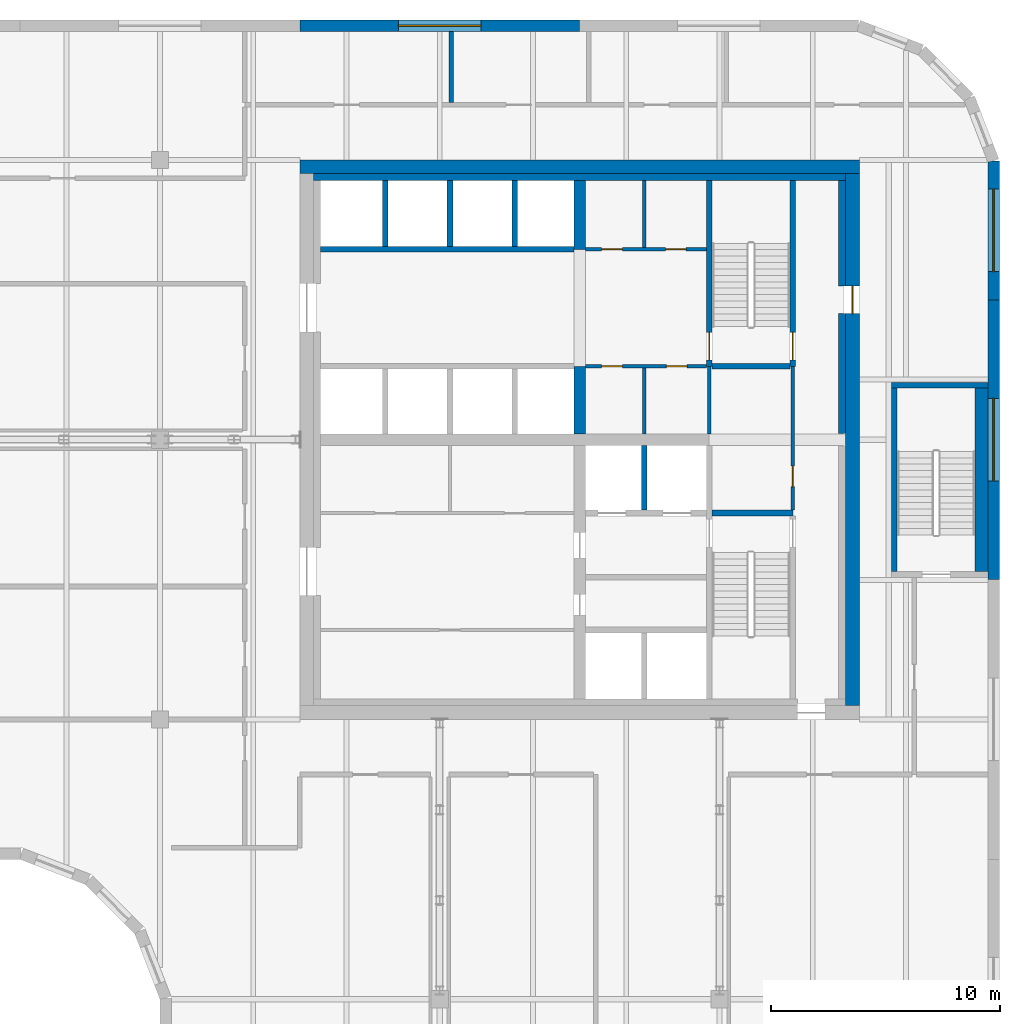
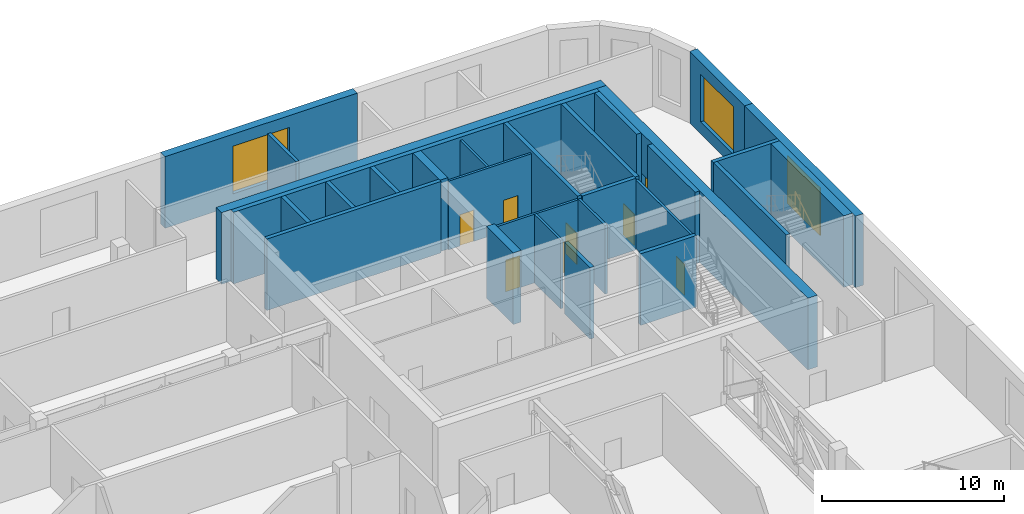
# One storey, part 9 of 12: 29 walls, 8 doors, 3 windows, 11 openings.
"""IFC4 building model written with IfcOpenShell, lengths in metres."""

from ifc_helpers import new_model, si_unit, direction, frame, frame_2d, origin, place, context, subcontext, project, spatial, polyline, rectangle, outline, extrude, faceted_brep, source, transform, mapped, material, layer, layer_set, type_object, element, fill, save


model = new_model("IFC4")

# Units and contexts
model_context = context("Model", 3, precision=1e-05, world=origin(), true_north=direction((0.0, 1.0)))
body_context = subcontext(model_context, "Body", "Model", "MODEL_VIEW")
ifc_project = project(units=[si_unit("LENGTHUNIT", "METRE"), si_unit("AREAUNIT", "SQUARE_METRE"), si_unit("VOLUMEUNIT", "CUBIC_METRE"), si_unit("PLANEANGLEUNIT", "RADIAN"), si_unit("MASSUNIT", "GRAM", prefix="KILO")], contexts=[model_context])

# Site, building, storey
site_placement = place(None, origin())
site = spatial("IfcSite", under=ifc_project, at=site_placement, CompositionType="ELEMENT")
building_placement = place(site_placement, origin())
building = spatial("IfcBuilding", under=site, at=building_placement, Name="Tessera Gate Towers", CompositionType="ELEMENT")
storey_placement = place(building_placement, frame((0.0, 0.0, 150.60009765625)))
storey = spatial("IfcBuildingStorey", under=building, at=storey_placement, Name="L37", CompositionType="ELEMENT", Elevation=150.60009765625)

# Walls
ifc_material_1 = material(Name="Concrete C40/50", Category="concrete")
ifc_layer_1 = layer(ifc_material_1, 0.25)
ifc_layer_set_1 = layer_set([ifc_layer_1], Name="CORE ENCLOSURE WALL 250")
wall_type_1 = type_object("IfcWallType", Name="CORE ENCLOSURE WALL 250", PredefinedType="SOLIDWALL", material=ifc_layer_set_1)
wall_1_placement = place(storey_placement, frame((31.39990234375, 44.89990234375, 0.0), z_axis=(0.0, 0.0, 1.0), x_axis=(1.0, 0.0, 0.0)))
element("IfcWall", 1, at=wall_1_placement, inside=storey, type_object=wall_type_1, Name="L37 shaft and stair enclosure wall", PredefinedType="SOLIDWALL", context=body_context, shape_type="SweptSolid", body=[
    extrude(rectangle(XDim=11.050048828125, YDim=0.25, at=frame_2d((5.52490234375, 0.0))), origin(), (0.0, 0.0, 1.0), 4.7998046875),
])
wall_2_placement = place(storey_placement, frame((48.47509765625, 33.39990234375, 0.0), z_axis=(0.0, 0.0, 1.0), x_axis=(1.0, 0.0, 0.0)))
element("IfcWall", 2, at=wall_2_placement, inside=storey, type_object=wall_type_1, Name="L37 shaft and stair enclosure wall", PredefinedType="SOLIDWALL", context=body_context, shape_type="SweptSolid", body=[
    extrude(rectangle(XDim=3.52490234375, YDim=0.25, at=frame_2d((1.762451171875, 0.0))), origin(), (0.0, 0.0, 1.0), 4.7998046875),
])

# Wall, opening, door
wall_3_placement = place(storey_placement, frame((48.35009765625, 47.89990234375, 0.0), z_axis=(0.0, 0.0, 1.0), x_axis=(0.0, -1.0, 0.0)))
wall_3 = element("IfcWall", 3, at=wall_3_placement, inside=storey, type_object=wall_type_1, Name="L37 shaft and stair enclosure wall", PredefinedType="SOLIDWALL", context=body_context, shape_type="SweptSolid", body=[
    extrude(rectangle(XDim=8.099853515625, YDim=0.25, at=frame_2d((4.0498046875, 0.0))), origin(), (0.0, 0.0, 1.0), 4.7998046875),
])
shared_shape_1 = source(origin(), body_context, "Body", "SweptSolid", [
    extrude(rectangle(XDim=1.199951171875, YDim=2.10009765625, at=frame_2d((0.60009765625, 1.050048828125))), frame((0.0, 0.135009765625, 0.0), z_axis=(0.0, -1.0, 0.0), x_axis=(1.0, 0.0, 0.0)), (0.0, 0.0, 1.0), 0.27001953125),
])
opening_1_placement = place(wall_3_placement, frame((6.625, 0.0, 0.0)))
opening_1 = element("IfcOpeningElement", 4, at=opening_1_placement, cuts=wall_3, Name="Opening SD-ST2-1", PredefinedType="OPENING", context=body_context, shape_type="MappedRepresentation", body=[
    mapped(shared_shape_1, transform((0.0, 0.0, 0.0), scale=1.0)),
])
ifc_material_2 = material(Name="Hollow steel fire door", Category="steel")
door_type_1 = type_object("IfcDoorType", Name="CORE DOOR SD 1200x2100", OperationType="NOTDEFINED", PredefinedType="DOOR", material=ifc_material_2)
shared_shape_2 = source(origin(), body_context, "Body", "SweptSolid", [
    extrude(rectangle(XDim=1.199951171875, YDim=2.10009765625, at=frame_2d((0.60009765625, 1.050048828125))), frame((0.0, 0.02490234375, 0.0), z_axis=(0.0, -1.0, 0.0), x_axis=(1.0, 0.0, 0.0)), (0.0, 0.0, 1.0), 0.050048828125),
])
door_1_placement = place(opening_1_placement, origin())
door_1 = element("IfcDoor", 5, at=door_1_placement, inside=storey, type_object=door_type_1, Name="Stair door", OperationType="SINGLE_SWING_RIGHT", OverallHeight=2.10009765625, OverallWidth=1.199951171875, PredefinedType="DOOR", context=body_context, shape_type="MappedRepresentation", body=[
    mapped(shared_shape_2, transform((0.0, 0.0, 0.0), scale=1.0)),
])
fill(opening_1, door_1)

wall_4_placement = place(storey_placement, frame((52.0, 39.800048828125, 0.0), z_axis=(0.0, 0.0, 1.0), x_axis=(0.0, 1.0, 0.0)))
wall_4 = element("IfcWall", 6, at=wall_4_placement, inside=storey, type_object=wall_type_1, Name="L37 shaft and stair enclosure wall", PredefinedType="SOLIDWALL", context=body_context, shape_type="SweptSolid", body=[
    extrude(rectangle(XDim=8.099853515625, YDim=0.25, at=frame_2d((4.0498046875, 0.0))), origin(), (0.0, 0.0, 1.0), 4.7998046875),
])
opening_2_placement = place(wall_4_placement, frame((0.27490234375, 0.0, 0.0)))
opening_2 = element("IfcOpeningElement", 7, at=opening_2_placement, cuts=wall_4, Name="Opening SD-ST2-2", PredefinedType="OPENING", context=body_context, shape_type="MappedRepresentation", body=[
    mapped(shared_shape_1, transform((0.0, 0.0, 0.0), scale=1.0)),
])
door_2_placement = place(opening_2_placement, origin())
door_2 = element("IfcDoor", 8, at=door_2_placement, inside=storey, type_object=door_type_1, Name="Stair door", OperationType="SINGLE_SWING_LEFT", OverallHeight=2.10009765625, OverallWidth=1.199951171875, PredefinedType="DOOR", context=body_context, shape_type="MappedRepresentation", body=[
    mapped(shared_shape_2, transform((0.0, 0.0, 0.0), scale=1.0)),
])
fill(opening_2, door_2)

# Walls
wall_5_placement = place(storey_placement, frame((48.47509765625, 39.800048828125, 0.0), z_axis=(0.0, 0.0, 1.0), x_axis=(1.0, 0.0, 0.0)))
element("IfcWall", 9, at=wall_5_placement, inside=storey, type_object=wall_type_1, Name="L37 shaft and stair enclosure wall", PredefinedType="SOLIDWALL", context=body_context, shape_type="SweptSolid", body=[
    extrude(rectangle(XDim=3.39990234375, YDim=0.25, at=frame_2d((1.699951171875, 0.0))), origin(), (0.0, 0.0, 1.0), 4.7998046875),
])
wall_6_placement = place(storey_placement, frame((45.52490234375, 33.52490234375, 0.0), z_axis=(0.0, 0.0, 1.0), x_axis=(0.0, 1.0, 0.0)))
element("IfcWall", 10, at=wall_6_placement, inside=storey, type_object=wall_type_1, Name="L37 shaft and stair enclosure wall", PredefinedType="SOLIDWALL", context=body_context, shape_type="SweptSolid", body=[
    extrude(rectangle(XDim=2.8251953125, YDim=0.25, at=frame_2d((1.41259765625, 0.0))), origin(), (0.0, 0.0, 1.0), 4.7998046875),
])
for number, where, z_axis, x_axis, name in (
    (11, (34.22509765625, 45.02490234375, 0.0), (0.0, 0.0, 1.0), (0.0, 1.0, 0.0), "L37 shaft and stair enclosure wall"),
    (12, (37.050048828125, 45.02490234375, 0.0), (0.0, 0.0, 1.0), (0.0, 1.0, 0.0), "L37 shaft and stair enclosure wall"),
    (13, (39.875, 45.02490234375, 0.0), (0.0, 0.0, 1.0), (0.0, 1.0, 0.0), "L37 shaft and stair enclosure wall"),
):
    element("IfcWall", number, at=place(storey_placement, frame(where, z_axis=z_axis, x_axis=x_axis)), inside=storey, type_object=wall_type_1, Name=name, PredefinedType="SOLIDWALL", context=body_context, shape_type="SweptSolid", body=[
        extrude(rectangle(XDim=2.875, YDim=0.25, at=frame_2d((1.4375, 0.0))), origin(), (0.0, 0.0, 1.0), 4.7998046875),
    ])
wall_7_placement = place(storey_placement, frame((56.425048828125, 30.85009765625, 0.0), z_axis=(0.0, 0.0, 1.0), x_axis=(0.0, 1.0, 0.0)))
element("IfcWall", 14, at=wall_7_placement, inside=storey, type_object=wall_type_1, Name="L37 ST5 enclosure wall", PredefinedType="SOLIDWALL", context=body_context, shape_type="SweptSolid", body=[
    extrude(rectangle(XDim=8.0, YDim=0.25, at=frame_2d((4.0, 0.0))), origin(), (0.0, 0.0, 1.0), 4.7998046875),
])
wall_8_placement = place(storey_placement, frame((56.300048828125, 38.97509765625, 0.0), z_axis=(0.0, 0.0, 1.0), x_axis=(1.0, 0.0, 0.0)))
element("IfcWall", 15, at=wall_8_placement, inside=storey, type_object=wall_type_1, Name="L37 ST5 enclosure wall", PredefinedType="SOLIDWALL", context=body_context, shape_type="SweptSolid", body=[
    extrude(rectangle(XDim=4.199951171875, YDim=0.25, at=frame_2d((2.10009765625, 0.0))), origin(), (0.0, 0.0, 1.0), 4.7998046875),
])
ifc_material_3 = material(Name="Concrete C40/50", Category="concrete")
ifc_layer_2 = layer(ifc_material_3, 0.550048828125)
ifc_layer_set_2 = layer_set([ifc_layer_2], Name="CORE ENCLOSURE WALL 550")
wall_type_2 = type_object("IfcWallType", Name="CORE ENCLOSURE WALL 550", PredefinedType="SOLIDWALL", material=ifc_layer_set_2)
wall_9_placement = place(storey_placement, frame((60.22509765625, 38.85009765625, 0.0), z_axis=(0.0, 0.0, 1.0), x_axis=(0.0, -1.0, 0.0)))
element("IfcWall", 16, at=wall_9_placement, inside=storey, type_object=wall_type_2, Name="L37 ST5 enclosure wall", PredefinedType="SOLIDWALL", context=body_context, shape_type="SweptSolid", body=[
    extrude(rectangle(XDim=8.0, YDim=0.550048828125, at=frame_2d((4.0, 0.0))), origin(), (0.0, 0.0, 1.0), 4.7998046875),
])
ifc_material_4 = material(Name="Concrete C50/60", Category="concrete")
ifc_layer_3 = layer(ifc_material_4, 0.60009765625)
ifc_layer_set_3 = layer_set([ifc_layer_3], Name="CORE SHEAR WALL 600 C50/60")
wall_type_3 = type_object("IfcWallType", Name="CORE SHEAR WALL 600 C50/60", PredefinedType="SHEAR", material=ifc_layer_set_3)
wall_10_placement = place(storey_placement, frame((30.5, 48.5, 0.0), z_axis=(0.0, 0.0, 1.0), x_axis=(1.0, 0.0, 0.0)))
element("IfcWall", 17, at=wall_10_placement, inside=storey, type_object=wall_type_3, Name="Core wall N L37", PredefinedType="SHEAR", context=body_context, shape_type="SweptSolid", body=[
    extrude(rectangle(XDim=24.39990234375, YDim=0.60009765625, at=frame_2d((12.199951171875, 0.0))), origin(), (0.0, 0.0, 1.0), 4.7998046875),
])

# Wall, opening, door
wall_11_placement = place(storey_placement, frame((54.60009765625, 48.199951171875, 0.0), z_axis=(0.0, 0.0, 1.0), x_axis=(0.0, -1.0, 0.0)))
wall_11 = element("IfcWall", 18, at=wall_11_placement, inside=storey, type_object=wall_type_3, Name="Core wall E L37", PredefinedType="SHEAR", context=body_context, shape_type="SweptSolid", body=[
    extrude(rectangle(XDim=23.199951171875, YDim=0.60009765625, at=frame_2d((11.60009765625, 0.0))), origin(), (0.0, 0.0, 1.0), 4.7998046875),
])
shared_shape_3 = source(origin(), body_context, "Body", "SweptSolid", [
    extrude(rectangle(XDim=1.199951171875, YDim=2.10009765625, at=frame_2d((0.60009765625, 1.050048828125))), frame((0.0, 0.31005859375, 0.0), z_axis=(0.0, -1.0, 0.0), x_axis=(1.0, 0.0, 0.0)), (0.0, 0.0, 1.0), 0.6201171875),
])
opening_3_placement = place(wall_11_placement, frame((4.89990234375, 0.0, 0.0)))
opening_3 = element("IfcOpeningElement", 19, at=opening_3_placement, cuts=wall_11, Name="Opening ED-T1-24-04", PredefinedType="OPENING", context=body_context, shape_type="MappedRepresentation", body=[
    mapped(shared_shape_3, transform((0.0, 0.0, 0.0), scale=1.0)),
])
ifc_material_5 = material(Name="Hollow steel fire door", Category="steel")
door_type_2 = type_object("IfcDoorType", Name="CORE DOOR ED 1200x2100", OperationType="NOTDEFINED", PredefinedType="DOOR", material=ifc_material_5)
door_3_placement = place(opening_3_placement, origin())
door_3 = element("IfcDoor", 20, at=door_3_placement, inside=storey, type_object=door_type_2, Name="Core exit door", OperationType="SINGLE_SWING_LEFT", OverallHeight=2.10009765625, OverallWidth=1.199951171875, PredefinedType="DOOR", context=body_context, shape_type="MappedRepresentation", body=[
    mapped(shared_shape_2, transform((0.0, 0.0, 0.0), scale=1.0)),
])
fill(opening_3, door_3)

# Walls
ifc_material_6 = material(Name="Concrete C50/60", Category="concrete")
ifc_layer_4 = layer(ifc_material_6, 0.5)
ifc_layer_set_4 = layer_set([ifc_layer_4], Name="CORE SPINE WALL 500 C50/60")
wall_type_4 = type_object("IfcWallType", Name="CORE SPINE WALL 500 C50/60", PredefinedType="SHEAR", material=ifc_layer_set_4)
wall_12_placement = place(storey_placement, frame((42.699951171875, 36.85009765625, 0.0), z_axis=(0.0, 0.0, 1.0), x_axis=(0.0, 1.0, 0.0)))
element("IfcWall", 21, at=wall_12_placement, inside=storey, type_object=wall_type_4, Name="Core wall spine L37", PredefinedType="SHEAR", context=body_context, shape_type="SweptSolid", body=[
    extrude(rectangle(XDim=2.949951171875, YDim=0.5, at=frame_2d((1.47509765625, 0.0))), origin(), (0.0, 0.0, 1.0), 4.7998046875),
])
wall_13_placement = place(storey_placement, frame((42.699951171875, 44.89990234375, 0.0), z_axis=(0.0, 0.0, 1.0), x_axis=(0.0, 1.0, 0.0)))
element("IfcWall", 22, at=wall_13_placement, inside=storey, type_object=wall_type_4, Name="Core wall spine L37", PredefinedType="SHEAR", context=body_context, shape_type="SweptSolid", body=[
    extrude(rectangle(XDim=3.0, YDim=0.5, at=frame_2d((1.5, 0.0))), origin(), (0.0, 0.0, 1.0), 4.7998046875),
])
ifc_material_7 = material(Name="Concrete C50/60", Category="concrete")
ifc_layer_5 = layer(ifc_material_7, 0.300048828125)
ifc_layer_set_5 = layer_set([ifc_layer_5], Name="CORE WALL THICKENING 300")
wall_type_5 = type_object("IfcWallType", Name="CORE WALL THICKENING 300", PredefinedType="SOLIDWALL", material=ifc_layer_set_5)
wall_14_placement = place(storey_placement, frame((31.10009765625, 48.050048828125, 0.0), z_axis=(0.0, 0.0, 1.0), x_axis=(1.0, 0.0, 0.0)))
element("IfcWall", 23, at=wall_14_placement, inside=storey, type_object=wall_type_5, Name="Core wall thickening N L37", PredefinedType="SOLIDWALL", context=body_context, shape_type="SweptSolid", body=[
    extrude(rectangle(XDim=23.199951171875, YDim=0.300048828125, at=frame_2d((11.60009765625, 0.0))), origin(), (0.0, 0.0, 1.0), 4.7998046875),
])
wall_15_placement = place(storey_placement, frame((54.14990234375, 36.8798828125, 0.0), z_axis=(0.0, 0.0, 1.0), x_axis=(0.0, 1.0, 0.0)))
element("IfcWall", 24, at=wall_15_placement, inside=storey, type_object=wall_type_5, Name="Core wall thickening E L37", PredefinedType="SOLIDWALL", context=body_context, shape_type="SweptSolid", body=[
    extrude(rectangle(XDim=5.22021484375, YDim=0.300048828125, at=frame_2d((2.610107421875, 0.0))), origin(), (0.0, 0.0, 1.0), 4.7998046875),
])
wall_16_placement = place(storey_placement, frame((54.14990234375, 43.300048828125, 0.0), z_axis=(0.0, 0.0, 1.0), x_axis=(0.0, 1.0, 0.0)))
element("IfcWall", 25, at=wall_16_placement, inside=storey, type_object=wall_type_5, Name="Core wall thickening E L37", PredefinedType="SOLIDWALL", context=body_context, shape_type="SweptSolid", body=[
    extrude(rectangle(XDim=4.599853515625, YDim=0.300048828125, at=frame_2d((2.2998046875, 0.0))), origin(), (0.0, 0.0, 1.0), 4.7998046875),
])
ifc_material_8 = material(Name="Concrete masonry unit", Category="masonry")
ifc_layer_6 = layer(ifc_material_8, 0.199951171875)
ifc_layer_set_6 = layer_set([ifc_layer_6], Name="PLANT WALL 200")
wall_type_6 = type_object("IfcWallType", Name="PLANT WALL 200", PredefinedType="PARTITIONING", material=ifc_layer_set_6)
wall_17_placement = place(storey_placement, frame((37.10009765625, 51.301025390625, 0.0), z_axis=(0.0, 0.0, 1.0), x_axis=(0.0, 1.0, 0.0)))
element("IfcWall", 26, at=wall_17_placement, inside=storey, type_object=wall_type_6, Name="T1-L37-PW-040", PredefinedType="PARTITIONING", context=body_context, shape_type="SweptSolid", body=[
    extrude(rectangle(XDim=3.098876953125, YDim=0.199951171875, at=frame_2d((1.54931640625, 0.0))), origin(), (0.0, 0.0, 1.0), 4.06689453125),
])

# Wall, opening, door
ifc_material_9 = material(Name="Gypsum board on steel studs", Category="steel")
ifc_layer_7 = layer(ifc_material_9, 0.14990234375)
ifc_layer_set_7 = layer_set([ifc_layer_7], Name="SERVICE ROOM WALL 150")
wall_type_7 = type_object("IfcWallType", Name="SERVICE ROOM WALL 150", PredefinedType="PARTITIONING", material=ifc_layer_set_7)
wall_18_placement = place(storey_placement, frame((52.0, 33.52490234375, 0.0), z_axis=(0.0, 0.0, 1.0), x_axis=(0.0, 1.0, 0.0)))
wall_18 = element("IfcWall", 27, at=wall_18_placement, inside=storey, type_object=wall_type_7, Name="L37 service room wall", PredefinedType="PARTITIONING", context=body_context, shape_type="SweptSolid", body=[
    extrude(rectangle(XDim=6.275146484375, YDim=0.14990234375, at=frame_2d((3.1376953125, 0.0))), origin(), (0.0, 0.0, 1.0), 4.599853515625),
])
shared_shape_4 = source(origin(), body_context, "Body", "SweptSolid", [
    extrude(rectangle(XDim=0.89990234375, YDim=2.10009765625, at=frame_2d((0.449951171875, 1.050048828125))), frame((0.0, 0.0849609375, 0.0), z_axis=(0.0, -1.0, 0.0), x_axis=(1.0, 0.0, 0.0)), (0.0, 0.0, 1.0), 0.169921875),
])
opening_4_placement = place(wall_18_placement, frame((1.02490234375, 0.0, 0.0)))
opening_4 = element("IfcOpeningElement", 28, at=opening_4_placement, cuts=wall_18, Name="Opening RD-T1-24-10", PredefinedType="OPENING", context=body_context, shape_type="MappedRepresentation", body=[
    mapped(shared_shape_4, transform((0.0, 0.0, 0.0), scale=1.0)),
])
ifc_material_10 = material(Name="Hollow steel fire door", Category="steel")
door_type_3 = type_object("IfcDoorType", Name="CORE DOOR RD 900x2100", OperationType="NOTDEFINED", PredefinedType="DOOR", material=ifc_material_10)
shared_shape_5 = source(origin(), body_context, "Body", "SweptSolid", [
    extrude(rectangle(XDim=0.89990234375, YDim=2.10009765625, at=frame_2d((0.449951171875, 1.050048828125))), frame((0.0, 0.02490234375, 0.0), z_axis=(0.0, -1.0, 0.0), x_axis=(1.0, 0.0, 0.0)), (0.0, 0.0, 1.0), 0.050048828125),
])
door_4_placement = place(opening_4_placement, origin())
door_4 = element("IfcDoor", 29, at=door_4_placement, inside=storey, type_object=door_type_3, Name="Core room door", OperationType="SINGLE_SWING_LEFT", OverallHeight=2.10009765625, OverallWidth=0.89990234375, PredefinedType="DOOR", context=body_context, shape_type="MappedRepresentation", body=[
    mapped(shared_shape_5, transform((0.0, 0.0, 0.0), scale=1.0)),
])
fill(opening_4, door_4)

# Wall, openings, doors
wall_19_placement = place(storey_placement, frame((48.22509765625, 39.800048828125, 0.0), z_axis=(0.0, 0.0, 1.0), x_axis=(-1.0, 0.0, 0.0)))
wall_19 = element("IfcWall", 30, at=wall_19_placement, inside=storey, type_object=wall_type_7, Name="L37 service room wall", PredefinedType="PARTITIONING", context=body_context, shape_type="SweptSolid", body=[
    extrude(rectangle(XDim=5.275146484375, YDim=0.14990234375, at=frame_2d((2.6376953125, 0.0))), origin(), (0.0, 0.0, 1.0), 4.599853515625),
])
opening_5_placement = place(wall_19_placement, frame((3.66259765625, 0.0, 0.0)))
opening_5 = element("IfcOpeningElement", 31, at=opening_5_placement, cuts=wall_19, Name="Opening RD-T1-24-11", PredefinedType="OPENING", context=body_context, shape_type="MappedRepresentation", body=[
    mapped(shared_shape_4, transform((0.0, 0.0, 0.0), scale=1.0)),
])
opening_6_placement = place(wall_19_placement, frame((0.83740234375, 0.0, 0.0)))
opening_6 = element("IfcOpeningElement", 32, at=opening_6_placement, cuts=wall_19, Name="Opening RD-T1-24-12", PredefinedType="OPENING", context=body_context, shape_type="MappedRepresentation", body=[
    mapped(shared_shape_4, transform((0.0, 0.0, 0.0), scale=1.0)),
])
door_5_placement = place(opening_5_placement, origin())
door_5 = element("IfcDoor", 33, at=door_5_placement, inside=storey, type_object=door_type_3, Name="Core room door", OperationType="SINGLE_SWING_RIGHT", OverallHeight=2.10009765625, OverallWidth=0.89990234375, PredefinedType="DOOR", context=body_context, shape_type="MappedRepresentation", body=[
    mapped(shared_shape_5, transform((0.0, 0.0, 0.0), scale=1.0)),
])
fill(opening_5, door_5)
door_6_placement = place(opening_6_placement, origin())
door_6 = element("IfcDoor", 34, at=door_6_placement, inside=storey, type_object=door_type_3, Name="Core room door", OperationType="SINGLE_SWING_LEFT", OverallHeight=2.10009765625, OverallWidth=0.89990234375, PredefinedType="DOOR", context=body_context, shape_type="MappedRepresentation", body=[
    mapped(shared_shape_5, transform((0.0, 0.0, 0.0), scale=1.0)),
])
fill(opening_6, door_6)

wall_20_placement = place(storey_placement, frame((42.949951171875, 44.89990234375, 0.0), z_axis=(0.0, 0.0, 1.0), x_axis=(1.0, 0.0, 0.0)))
wall_20 = element("IfcWall", 35, at=wall_20_placement, inside=storey, type_object=wall_type_7, Name="L37 service room wall", PredefinedType="PARTITIONING", context=body_context, shape_type="SweptSolid", body=[
    extrude(rectangle(XDim=5.275146484375, YDim=0.14990234375, at=frame_2d((2.6376953125, 0.0))), origin(), (0.0, 0.0, 1.0), 4.599853515625),
])
opening_7_placement = place(wall_20_placement, frame((0.71240234375, 0.0, 0.0)))
opening_7 = element("IfcOpeningElement", 36, at=opening_7_placement, cuts=wall_20, Name="Opening RD-T1-24-13", PredefinedType="OPENING", context=body_context, shape_type="MappedRepresentation", body=[
    mapped(shared_shape_4, transform((0.0, 0.0, 0.0), scale=1.0)),
])
opening_8_placement = place(wall_20_placement, frame((3.5, 0.0, 0.0)))
opening_8 = element("IfcOpeningElement", 37, at=opening_8_placement, cuts=wall_20, Name="Opening RD-T1-24-14", PredefinedType="OPENING", context=body_context, shape_type="MappedRepresentation", body=[
    mapped(shared_shape_4, transform((0.0, 0.0, 0.0), scale=1.0)),
])
door_7_placement = place(opening_7_placement, origin())
door_7 = element("IfcDoor", 38, at=door_7_placement, inside=storey, type_object=door_type_3, Name="Core room door", OperationType="SINGLE_SWING_LEFT", OverallHeight=2.10009765625, OverallWidth=0.89990234375, PredefinedType="DOOR", context=body_context, shape_type="MappedRepresentation", body=[
    mapped(shared_shape_5, transform((0.0, 0.0, 0.0), scale=1.0)),
])
fill(opening_7, door_7)
door_8_placement = place(opening_8_placement, origin())
door_8 = element("IfcDoor", 39, at=door_8_placement, inside=storey, type_object=door_type_3, Name="Core room door", OperationType="SINGLE_SWING_RIGHT", OverallHeight=2.10009765625, OverallWidth=0.89990234375, PredefinedType="DOOR", context=body_context, shape_type="MappedRepresentation", body=[
    mapped(shared_shape_5, transform((0.0, 0.0, 0.0), scale=1.0)),
])
fill(opening_8, door_8)

# Walls
wall_21_placement = place(storey_placement, frame((45.52490234375, 36.85009765625, 0.0), z_axis=(0.0, 0.0, 1.0), x_axis=(0.0, 1.0, 0.0)))
element("IfcWall", 40, at=wall_21_placement, inside=storey, type_object=wall_type_7, Name="L37 service room wall", PredefinedType="PARTITIONING", context=body_context, shape_type="SweptSolid", body=[
    extrude(rectangle(XDim=2.875, YDim=0.14990234375, at=frame_2d((1.4375, 0.0))), origin(), (0.0, 0.0, 1.0), 4.599853515625),
])
wall_22_placement = place(storey_placement, frame((48.35009765625, 36.85009765625, 0.0), z_axis=(0.0, 0.0, 1.0), x_axis=(0.0, 1.0, 0.0)))
element("IfcWall", 41, at=wall_22_placement, inside=storey, type_object=wall_type_7, Name="L37 service room wall", PredefinedType="PARTITIONING", context=body_context, shape_type="SweptSolid", body=[
    extrude(rectangle(XDim=2.949951171875, YDim=0.14990234375, at=frame_2d((1.47509765625, 0.0))), origin(), (0.0, 0.0, 1.0), 4.599853515625),
])
wall_23_placement = place(storey_placement, frame((45.52490234375, 44.97509765625, 0.0), z_axis=(0.0, 0.0, 1.0), x_axis=(0.0, 1.0, 0.0)))
element("IfcWall", 42, at=wall_23_placement, inside=storey, type_object=wall_type_7, Name="L37 service room wall", PredefinedType="PARTITIONING", context=body_context, shape_type="SweptSolid", body=[
    extrude(rectangle(XDim=2.9248046875, YDim=0.14990234375, at=frame_2d((1.46240234375, 0.0))), origin(), (0.0, 0.0, 1.0), 4.599853515625),
])

# Wall, opening, window
ifc_material_11 = material(Name="Precast concrete C60/75 white", Category="concrete")
ifc_layer_8 = layer(ifc_material_11, 0.5)
ifc_layer_set_8 = layer_set([ifc_layer_8], Name="RB1 ring band panel")
wall_type_8 = type_object("IfcWallType", Name="RB1 ring band panel", PredefinedType="SOLIDWALL", material=ifc_layer_set_8)
shared_shape_6 = source(origin(), body_context, "Body", "SweptSolid", [
    extrude(outline(polyline([(0.0, 0.0), (12.199951171875, 0.0), (12.199951171875, 4.7998046875), (0.0, 4.7998046875), (0.0, 0.0)])), frame((0.0, 0.25, 0.0), z_axis=(0.0, -1.0, 0.0), x_axis=(1.0, 0.0, 0.0)), (0.0, 0.0, 1.0), 0.5),
])
wall_24_placement = place(storey_placement, frame((60.75, 30.5, 0.0), z_axis=(0.0, 0.0, 1.0), x_axis=(0.0, 1.0, 0.0)))
wall_24 = element("IfcWall", 43, at=wall_24_placement, inside=storey, type_object=wall_type_8, Name="Ring band panel T1 RB1-0040", PredefinedType="SOLIDWALL", context=body_context, shape_type="MappedRepresentation", body=[
    mapped(shared_shape_6, transform((0.0, 0.0, 0.0), scale=1.0)),
])
shared_shape_7 = source(origin(), body_context, "Body", "SweptSolid", [
    extrude(outline(polyline([(4.300048828125, 0.7998046875), (7.89990234375, 0.7998046875), (7.89990234375, 4.0), (4.300048828125, 4.0), (4.300048828125, 0.7998046875)])), frame((0.0, 0.260009765625, 0.0), z_axis=(0.0, -1.0, 0.0), x_axis=(1.0, 0.0, 0.0)), (0.0, 0.0, 1.0), 0.52001953125),
])
opening_9_placement = place(wall_24_placement, origin())
opening_9 = element("IfcOpeningElement", 44, at=opening_9_placement, cuts=wall_24, Name="Opening T1-WN-LV1-0040", PredefinedType="OPENING", context=body_context, shape_type="MappedRepresentation", body=[
    mapped(shared_shape_7, transform((0.0, 0.0, 0.0), scale=1.0)),
])
ifc_material_12 = material(Name="Aluminium louvre", Category="aluminium")
ifc_layer_9 = layer(ifc_material_12, 0.06005859375)
ifc_layer_set_9 = layer_set([ifc_layer_9], Name="LV1 louvre")
window_type = type_object("IfcWindowType", Name="LV1 louvre", PartitioningType="USERDEFINED", PredefinedType="WINDOW", material=ifc_layer_set_9)
shared_shape_8 = source(origin(), body_context, "Body", "SweptSolid", [
    extrude(outline(polyline([(4.300048828125, 0.7998046875), (7.89990234375, 0.7998046875), (7.89990234375, 4.0), (4.300048828125, 4.0), (4.300048828125, 0.7998046875)])), frame((0.0, 0.030029296875, 0.0), z_axis=(0.0, -1.0, 0.0), x_axis=(1.0, 0.0, 0.0)), (0.0, 0.0, 1.0), 0.06005859375),
])
window_1_placement = place(opening_9_placement, origin())
window_1 = element("IfcWindow", 45, at=window_1_placement, inside=storey, type_object=window_type, Name="Louvre T1 WN-LV1-0040", OverallHeight=3.2001953125, OverallWidth=3.599853515625, PartitioningType="USERDEFINED", PredefinedType="WINDOW", context=body_context, shape_type="MappedRepresentation", body=[
    mapped(shared_shape_8, transform((0.0, 0.0, 0.0), scale=1.0)),
])
fill(opening_9, window_1)

wall_25_placement = place(storey_placement, frame((42.699951171875, 54.64990234375, 0.0), z_axis=(0.0, 0.0, 1.0), x_axis=(-1.0, 0.0, 0.0)))
wall_25 = element("IfcWall", 46, at=wall_25_placement, inside=storey, type_object=wall_type_8, Name="Ring band panel T1 RB1-0046", PredefinedType="SOLIDWALL", context=body_context, shape_type="MappedRepresentation", body=[
    mapped(shared_shape_6, transform((0.0, 0.0, 0.0), scale=1.0)),
])
opening_10_placement = place(wall_25_placement, origin())
opening_10 = element("IfcOpeningElement", 47, at=opening_10_placement, cuts=wall_25, Name="Opening T1-WN-LV1-0046", PredefinedType="OPENING", context=body_context, shape_type="MappedRepresentation", body=[
    mapped(shared_shape_7, transform((0.0, 0.0, 0.0), scale=1.0)),
])
window_2_placement = place(opening_10_placement, origin())
window_2 = element("IfcWindow", 48, at=window_2_placement, inside=storey, type_object=window_type, Name="Louvre T1 WN-LV1-0046", OverallHeight=3.2001953125, OverallWidth=3.599853515625, PartitioningType="USERDEFINED", PredefinedType="WINDOW", context=body_context, shape_type="MappedRepresentation", body=[
    mapped(shared_shape_8, transform((0.0, 0.0, 0.0), scale=1.0)),
])
fill(opening_10, window_2)

shared_shape_9 = source(origin(), body_context, "Body", "Brep", [
    faceted_brep([(0.0, -0.25, 0.0), (6.053466796875, -0.25, 0.0), (6.053466796875, -0.25, 4.7998046875), (0.0, -0.25, 4.7998046875), (0.0, 0.25, 4.7998046875), (6.0068359375, 0.25, 4.7998046875), (6.0068359375, 0.25, 0.0), (0.0, 0.25, 0.0), (6.053466796875, 0.0, 0.0), (6.053466796875, 0.0, 4.7998046875)], [[[0, 1, 2, 3]], [[4, 5, 6, 7]], [[7, 6, 8, 1, 0]], [[9, 2, 1, 8]], [[5, 4, 3, 2, 9]], [[4, 7, 0, 3]], [[8, 6, 5, 9]]]),
])
wall_26_placement = place(storey_placement, frame((60.75, 42.699951171875, 0.0), z_axis=(0.0, 0.0, 1.0), x_axis=(0.0, 1.0, 0.0)))
wall_26 = element("IfcWall", 49, at=wall_26_placement, inside=storey, type_object=wall_type_8, Name="Ring band panel T1 RB1-0041", PredefinedType="SOLIDWALL", context=body_context, shape_type="MappedRepresentation", body=[
    mapped(shared_shape_9, transform((0.0, 0.0, 0.0), scale=1.0)),
])
shared_shape_10 = source(origin(), body_context, "Body", "SweptSolid", [
    extrude(outline(polyline([(1.226806640625, 0.7998046875), (4.82666015625, 0.7998046875), (4.82666015625, 4.0), (1.226806640625, 4.0), (1.226806640625, 0.7998046875)])), frame((0.0, 0.260009765625, 0.0), z_axis=(0.0, -1.0, 0.0), x_axis=(1.0, 0.0, 0.0)), (0.0, 0.0, 1.0), 0.52001953125),
])
opening_11_placement = place(wall_26_placement, origin())
opening_11 = element("IfcOpeningElement", 50, at=opening_11_placement, cuts=wall_26, Name="Opening T1-WN-LV1-0041", PredefinedType="OPENING", context=body_context, shape_type="MappedRepresentation", body=[
    mapped(shared_shape_10, transform((0.0, 0.0, 0.0), scale=1.0)),
])
shared_shape_11 = source(origin(), body_context, "Body", "SweptSolid", [
    extrude(outline(polyline([(1.226806640625, 0.7998046875), (4.82666015625, 0.7998046875), (4.82666015625, 4.0), (1.226806640625, 4.0), (1.226806640625, 0.7998046875)])), frame((0.0, 0.030029296875, 0.0), z_axis=(0.0, -1.0, 0.0), x_axis=(1.0, 0.0, 0.0)), (0.0, 0.0, 1.0), 0.06005859375),
])
window_3_placement = place(opening_11_placement, origin())
window_3 = element("IfcWindow", 51, at=window_3_placement, inside=storey, type_object=window_type, Name="Louvre T1 WN-LV1-0041", OverallHeight=3.2001953125, OverallWidth=3.599853515625, PartitioningType="USERDEFINED", PredefinedType="WINDOW", context=body_context, shape_type="MappedRepresentation", body=[
    mapped(shared_shape_11, transform((0.0, 0.0, 0.0), scale=1.0)),
])
fill(opening_11, window_3)

save(model, "model.ifc")
